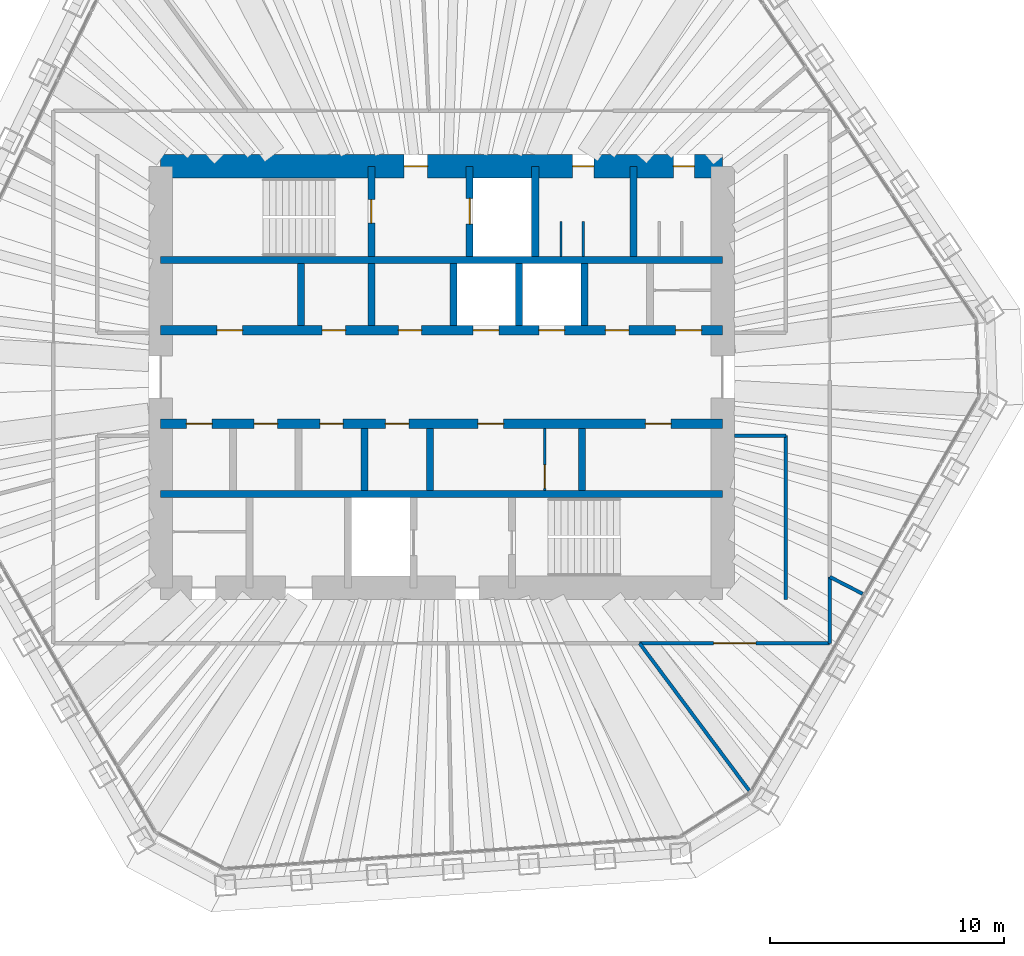
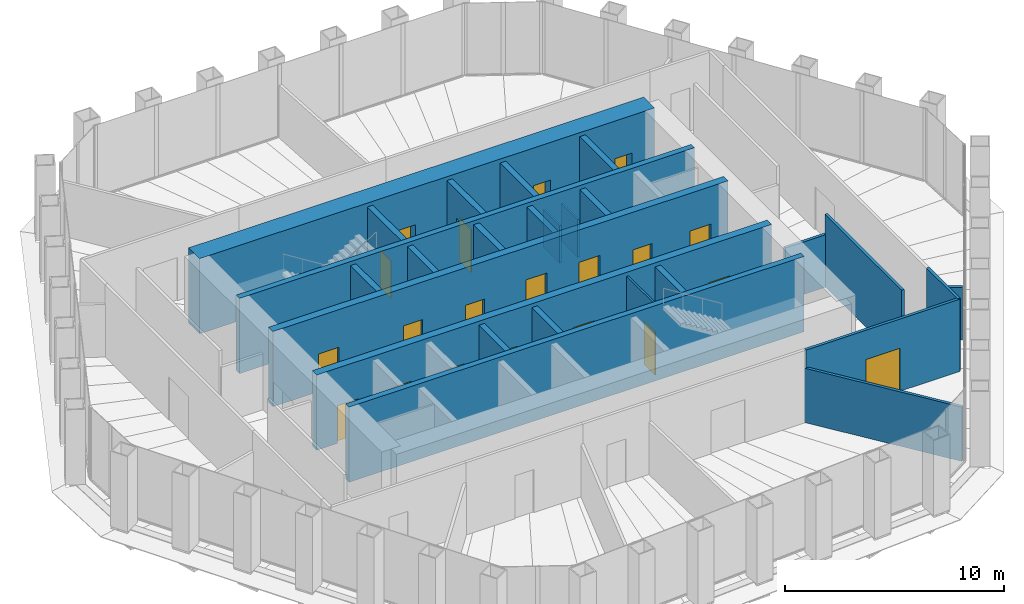
# One storey, part 12 of 14: 26 walls, 20 doors, 20 openings.
"""IFC4 building model written with IfcOpenShell, lengths in metres."""

import ifcopenshell
import ifcopenshell.guid

model = None  # the IFC model being written
_history = None  # IfcOwnerHistory: only IFC2X3 demands one
_inside = {}  # id of a spatial element -> (the spatial element, [elements in it])
_under = {}  # id of a project, library or spatial element -> (it, [spatial elements below it])
_declared = {}  # id of a project -> (the project, [libraries it declares])
_typed = {}  # id of a type object -> (the type object, [elements of that type])
_made_of = {}  # id of a material, layer set ... -> (it, [elements and type objects made of it])


def new_model(schema):
    """Start an empty IFC model of exactly this schema.

    Asked for "IFC4X3", IfcOpenShell would pick the latest addendum, in which some entities
    have other attributes; the version numbers below select the first issue.
    IFC2X3 requires an IfcOwnerHistory on every rooted entity: one is made here for all.
    """
    global model, _history
    if schema == "IFC4X3":
        model = ifcopenshell.file(schema_version=(4, 3, 0, 0))
    else:
        model = ifcopenshell.file(schema=schema)
    _inside.clear()
    _under.clear()
    _declared.clear()
    _typed.clear()
    _made_of.clear()
    _history = None
    if model.schema == "IFC2X3":
        org = make("IfcOrganization", Name="unknown")
        user = make(
            "IfcPersonAndOrganization",
            ThePerson=make("IfcPerson", FamilyName="unknown"),
            TheOrganization=org,
        )
        app = make(
            "IfcApplication",
            ApplicationDeveloper=org,
            Version="unknown",
            ApplicationFullName="unknown",
            ApplicationIdentifier="unknown",
        )
        _history = make(
            "IfcOwnerHistory",
            OwningUser=user,
            OwningApplication=app,
            ChangeAction="ADDED",
            CreationDate=0,
        )
    return model


def make(cls, **values):
    """One entity of the class cls with the attributes given. An attribute that is None is left unset."""
    return model.create_entity(
        cls, **{name: value for name, value in values.items() if value is not None}
    )


def rooted(cls, **values):
    """An entity with a GlobalId (a new one), such as an element, a storey or a relation."""
    return make(cls, GlobalId=ifcopenshell.guid.new(), OwnerHistory=_history, **values)


def si_unit(unit_type, name, prefix=None):
    """IfcSIUnit, for example si_unit("LENGTHUNIT", "METRE", prefix="MILLI")."""
    return make("IfcSIUnit", UnitType=unit_type, Prefix=prefix, Name=name)


def assignment(units):
    """IfcUnitAssignment: the units of a project."""
    return None if units is None else make("IfcUnitAssignment", Units=units)


def point(xyz):
    """IfcCartesianPoint."""
    return None if xyz is None else make("IfcCartesianPoint", Coordinates=xyz)


def direction(xyz):
    """IfcDirection."""
    return None if xyz is None else make("IfcDirection", DirectionRatios=xyz)


def frame(location, z_axis=None, x_axis=None):
    """IfcAxis2Placement3D, a coordinate frame: its origin and axes. An axis left out is left unset."""
    return make(
        "IfcAxis2Placement3D",
        Location=point(location),
        Axis=direction(z_axis),
        RefDirection=direction(x_axis),
    )


def frame_2d(location, x_axis=None):
    """IfcAxis2Placement2D, a coordinate frame in the plane: its origin and x axis."""
    return make(
        "IfcAxis2Placement2D", Location=point(location), RefDirection=direction(x_axis)
    )


def origin():
    """The frame at (0, 0, 0) with its axes left unset."""
    return frame((0.0, 0.0, 0.0))


def place(relative_to, where):
    """IfcLocalPlacement: puts the frame where relative to a parent placement (None: the world)."""
    return make(
        "IfcLocalPlacement", PlacementRelTo=relative_to, RelativePlacement=where
    )


def context(
    kind, dimensions, precision=None, world=None, true_north=None, identifier=None
):
    """IfcGeometricRepresentationContext, for example the 3D "Model" context."""
    return make(
        "IfcGeometricRepresentationContext",
        ContextIdentifier=identifier,
        ContextType=kind,
        CoordinateSpaceDimension=dimensions,
        Precision=precision,
        WorldCoordinateSystem=world,
        TrueNorth=true_north,
    )


def subcontext(parent, identifier, kind, view, scale=None):
    """IfcGeometricRepresentationSubContext, for example "Body" below "Model"."""
    return make(
        "IfcGeometricRepresentationSubContext",
        ContextIdentifier=identifier,
        ContextType=kind,
        ParentContext=parent,
        TargetScale=scale,
        TargetView=view,
    )


def project(units=None, contexts=None):
    """IfcProject with its units and contexts."""
    return rooted(
        "IfcProject",
        Name="project",
        RepresentationContexts=contexts,
        UnitsInContext=assignment(units),
    )


def spatial(cls, under=None, at=None, **own):
    """A site, building, storey or space (cls), placed at a placement, below another one or the project."""
    s = rooted(cls, ObjectPlacement=at, **own)
    if under is not None:
        _under.setdefault(under.id(), (under, []))[1].append(s)
    return s


def profile(cls, at=None, kind="AREA", **sizes):
    """A parametric profile (cls). Its sizes go by their IFC names, for example OverallWidth=200.0."""
    return make(cls, ProfileType=kind, Position=at, **sizes)


def rectangle(**sizes):
    """IfcRectangleProfileDef."""
    return profile("IfcRectangleProfileDef", **sizes)


def extrude(swept, where, along, depth):
    """IfcExtrudedAreaSolid: the profile swept, set in the frame where, extruded along a direction by depth."""
    return make(
        "IfcExtrudedAreaSolid",
        SweptArea=swept,
        Position=where,
        ExtrudedDirection=direction(along),
        Depth=depth,
    )


def shape(context_of_items, identifier, shape_type, items):
    """IfcShapeRepresentation: the items that make up one representation, for example the "Body"."""
    return make(
        "IfcShapeRepresentation",
        ContextOfItems=context_of_items,
        RepresentationIdentifier=identifier,
        RepresentationType=shape_type,
        Items=items,
    )


def material(Name=None, Category=None):
    """IfcMaterial."""
    return make("IfcMaterial", Name=Name, Category=Category)


def layer(
    of_material, thickness, ventilated=None, Name=None, Category=None, Priority=None
):
    """IfcMaterialLayer: one layer of a wall or slab, of a material (None: an air gap)."""
    return make(
        "IfcMaterialLayer",
        Material=of_material,
        LayerThickness=thickness,
        IsVentilated=ventilated,
        Name=Name,
        Category=Category,
        Priority=Priority,
    )


def layer_set(layers, Name=None):
    """IfcMaterialLayerSet."""
    return make("IfcMaterialLayerSet", MaterialLayers=layers, LayerSetName=Name)


def made_of(thing, what):
    """Note that an element or type object is made of a material, layer set ...; save() writes the relation."""
    if what is not None:
        _made_of.setdefault(what.id(), (what, []))[1].append(thing)
    return thing


def type_object(cls, material=None, **own):
    """A type object (cls), such as IfcWallType, which elements share."""
    return made_of(rooted(cls, **own), material)


def element(
    cls,
    number,
    at=None,
    inside=None,
    cuts=None,
    type_object=None,
    material=None,
    context=None,
    identifier="Body",
    shape_type=None,
    held_by="IfcProductDefinitionShape",
    body=None,
    shapes=None,
    **own,
):
    """One element of the class cls, such as IfcWall. Its Tag is "e" and its number.

    at: its placement. inside: the storey or other place that contains it. cuts: it is an
    opening in that element (IfcRelVoidsElement). A single representation is given by context,
    identifier, shape_type and body (its items); several are given by shapes. held_by: the class
    of the entity that holds the representations. save() writes the other relations.
    """
    e = rooted(cls, Tag="e%d" % number, ObjectPlacement=at, **own)
    if body is not None:
        shapes = [shape(context, identifier, shape_type, body)]
    if shapes is not None:
        e.Representation = make(held_by, Representations=shapes)
    if inside is not None:
        _inside.setdefault(inside.id(), (inside, []))[1].append(e)
    if cuts is not None:
        rooted(
            "IfcRelVoidsElement", RelatingBuildingElement=cuts, RelatedOpeningElement=e
        )
    if type_object is not None:
        _typed.setdefault(type_object.id(), (type_object, []))[1].append(e)
    return made_of(e, material)


def fill(opening, filler):
    """IfcRelFillsElement: the door or window that sits in an opening."""
    return rooted(
        "IfcRelFillsElement",
        RelatingOpeningElement=opening,
        RelatedBuildingElement=filler,
    )


def aggregate(whole, parts):
    """IfcRelAggregates: a whole, such as a stair, and the parts it consists of."""
    return rooted("IfcRelAggregates", RelatingObject=whole, RelatedObjects=parts)


def save(model, path):
    """Write the relations noted so far, then the file.

    IfcRelAggregates (storeys below a building ...), IfcRelContainedInSpatialStructure (elements
    in a storey), IfcRelDefinesByType, IfcRelAssociatesMaterial and IfcRelDeclares: one each for
    every whole, place, type object, material and project.
    """
    for whole, parts in _under.values():
        aggregate(whole, parts)
    for where, things in _inside.values():
        rooted(
            "IfcRelContainedInSpatialStructure",
            RelatedElements=things,
            RelatingStructure=where,
        )
    for kind, things in _typed.values():
        rooted("IfcRelDefinesByType", RelatedObjects=things, RelatingType=kind)
    for what, things in _made_of.values():
        rooted("IfcRelAssociatesMaterial", RelatedObjects=things, RelatingMaterial=what)
    for by, libraries in _declared.values():
        rooted("IfcRelDeclares", RelatingContext=by, RelatedDefinitions=libraries)
    model.write(path)


model = new_model("IFC4")

# Units and contexts
model_context = context("Model", 3, precision=1e-05, world=origin(), true_north=direction((0.0, 1.0)))
body_context = subcontext(model_context, "Body", "Model", "MODEL_VIEW")
ifc_project = project(units=[si_unit("LENGTHUNIT", "METRE"), si_unit("AREAUNIT", "SQUARE_METRE"), si_unit("VOLUMEUNIT", "CUBIC_METRE"), si_unit("PLANEANGLEUNIT", "RADIAN"), si_unit("MASSUNIT", "GRAM", prefix="KILO")], contexts=[model_context])

# Site, building, storey
site_placement = place(None, origin())
site = spatial("IfcSite", under=ifc_project, at=site_placement, CompositionType="ELEMENT")
building_placement = place(site_placement, origin())
building = spatial("IfcBuilding", under=site, at=building_placement, Name="Qingtian Harvest Tower", CompositionType="ELEMENT")
storey_placement = place(building_placement, frame((0.0, 0.0, 299.800048828125)))
storey = spatial("IfcBuildingStorey", under=building, at=storey_placement, Name="L66", CompositionType="ELEMENT", Elevation=299.800048828125)

# Walls
ifc_material_1 = material(Name="Concrete fc' 70 MPa", Category="concrete")
ifc_layer_1 = layer(ifc_material_1, 0.300048828125)
ifc_layer_set_1 = layer_set([ifc_layer_1], Name="Core inner wall RC5 300")
wall_type_1 = type_object("IfcWallType", Name="Core inner wall RC5 300", PredefinedType="SHEAR", material=ifc_layer_set_1)
for number, where, z_axis, x_axis, name in (
    (1, (-12.0, 5.0, 0.0), (0.0, 0.0, 1.0), (1.0, 0.0, 0.0), "Core wall IN5 L66"),
    (2, (-12.0, -5.0, 0.0), (0.0, 0.0, 1.0), (1.0, 0.0, 0.0), "Core wall IS5 L66"),
):
    element("IfcWall", number, at=place(storey_placement, frame(where, z_axis=z_axis, x_axis=x_axis)), inside=storey, type_object=wall_type_1, Name=name, PredefinedType="SHEAR", context=body_context, shape_type="SweptSolid", body=[
        extrude(rectangle(XDim=24.0, YDim=0.300048828125, at=frame_2d((12.0, 0.0))), origin(), (0.0, 0.0, 1.0), 4.199951171875),
    ])

# Wall, openings, doors
ifc_material_2 = material(Name="Concrete fc' 70 MPa", Category="concrete")
ifc_layer_2 = layer(ifc_material_2, 0.39990234375)
ifc_layer_set_2 = layer_set([ifc_layer_2], Name="Core inner web RC6 400")
wall_type_2 = type_object("IfcWallType", Name="Core inner web RC6 400", PredefinedType="SHEAR", material=ifc_layer_set_2)
wall_1_placement = place(storey_placement, frame((-12.0, 2.0, 0.0), z_axis=(0.0, 0.0, 1.0), x_axis=(1.0, 0.0, 0.0)))
wall_1 = element("IfcWall", 3, at=wall_1_placement, inside=storey, type_object=wall_type_2, Name="Core wall IN2 L66", PredefinedType="SHEAR", context=body_context, shape_type="SweptSolid", body=[
    extrude(rectangle(XDim=24.0, YDim=0.39990234375, at=frame_2d((12.0, 0.0))), origin(), (0.0, 0.0, 1.0), 4.199951171875),
])
opening_1_placement = place(wall_1_placement, frame((2.39990234375, 0.0, 0.0)))
opening_1 = element("IfcOpeningElement", 4, at=opening_1_placement, cuts=wall_1, Name="Opening FD4", PredefinedType="OPENING", context=body_context, shape_type="SweptSolid", body=[
    extrude(rectangle(XDim=1.10009765625, YDim=2.10009765625, at=frame_2d((0.550048828125, 1.050048828125))), frame((0.0, 0.2099609375, 0.0), z_axis=(0.0, -1.0, 0.0), x_axis=(1.0, 0.0, 0.0)), (0.0, 0.0, 1.0), 0.419921875),
])
opening_2_placement = place(wall_1_placement, frame((22.0, 0.0, 0.0)))
opening_2 = element("IfcOpeningElement", 5, at=opening_2_placement, cuts=wall_1, Name="Opening FD4", PredefinedType="OPENING", context=body_context, shape_type="SweptSolid", body=[
    extrude(rectangle(XDim=1.10009765625, YDim=2.10009765625, at=frame_2d((0.550048828125, 1.050048828125))), frame((0.0, 0.2099609375, 0.0), z_axis=(0.0, -1.0, 0.0), x_axis=(1.0, 0.0, 0.0)), (0.0, 0.0, 1.0), 0.419921875),
])
opening_3_placement = place(wall_1_placement, frame((10.14990234375, 0.0, 0.0)))
opening_3 = element("IfcOpeningElement", 6, at=opening_3_placement, cuts=wall_1, Name="Opening FD1", PredefinedType="OPENING", context=body_context, shape_type="SweptSolid", body=[
    extrude(rectangle(XDim=1.0, YDim=2.10009765625, at=frame_2d((0.5, 1.050048828125))), frame((0.0, 0.2099609375, 0.0), z_axis=(0.0, -1.0, 0.0), x_axis=(1.0, 0.0, 0.0)), (0.0, 0.0, 1.0), 0.419921875),
])
opening_4_placement = place(wall_1_placement, frame((6.89990234375, 0.0, 0.0)))
opening_4 = element("IfcOpeningElement", 7, at=opening_4_placement, cuts=wall_1, Name="Opening FD1", PredefinedType="OPENING", context=body_context, shape_type="SweptSolid", body=[
    extrude(rectangle(XDim=1.0, YDim=2.10009765625, at=frame_2d((0.5, 1.050048828125))), frame((0.0, 0.2099609375, 0.0), z_axis=(0.0, -1.0, 0.0), x_axis=(1.0, 0.0, 0.0)), (0.0, 0.0, 1.0), 0.419921875),
])
opening_5_placement = place(wall_1_placement, frame((13.35009765625, 0.0, 0.0)))
opening_5 = element("IfcOpeningElement", 8, at=opening_5_placement, cuts=wall_1, Name="Opening LD1", PredefinedType="OPENING", context=body_context, shape_type="SweptSolid", body=[
    extrude(rectangle(XDim=1.10009765625, YDim=2.39990234375, at=frame_2d((0.550048828125, 1.199951171875))), frame((0.0, 0.2099609375, 0.0), z_axis=(0.0, -1.0, 0.0), x_axis=(1.0, 0.0, 0.0)), (0.0, 0.0, 1.0), 0.419921875),
])
opening_6_placement = place(wall_1_placement, frame((16.14990234375, 0.0, 0.0)))
opening_6 = element("IfcOpeningElement", 9, at=opening_6_placement, cuts=wall_1, Name="Opening LD1", PredefinedType="OPENING", context=body_context, shape_type="SweptSolid", body=[
    extrude(rectangle(XDim=1.10009765625, YDim=2.39990234375, at=frame_2d((0.550048828125, 1.199951171875))), frame((0.0, 0.2099609375, 0.0), z_axis=(0.0, -1.0, 0.0), x_axis=(1.0, 0.0, 0.0)), (0.0, 0.0, 1.0), 0.419921875),
])
opening_7_placement = place(wall_1_placement, frame((19.0, 0.0, 0.0)))
opening_7 = element("IfcOpeningElement", 10, at=opening_7_placement, cuts=wall_1, Name="Opening FD1", PredefinedType="OPENING", context=body_context, shape_type="SweptSolid", body=[
    extrude(rectangle(XDim=1.0, YDim=2.10009765625, at=frame_2d((0.5, 1.050048828125))), frame((0.0, 0.2099609375, 0.0), z_axis=(0.0, -1.0, 0.0), x_axis=(1.0, 0.0, 0.0)), (0.0, 0.0, 1.0), 0.419921875),
])
ifc_material_3 = material(Name="Steel-faced door leaf", Category="steel")
door_type_1 = type_object("IfcDoorType", Name="Fire door FD1 single 1 HR", OperationType="SINGLE_SWING_LEFT", PredefinedType="DOOR", material=ifc_material_3)
door_1_placement = place(opening_3_placement, origin())
door_1 = element("IfcDoor", 11, at=door_1_placement, inside=storey, type_object=door_type_1, Name="STA door L66", OperationType="SINGLE_SWING_LEFT", OverallHeight=2.10009765625, OverallWidth=1.0, PredefinedType="DOOR", context=body_context, shape_type="SweptSolid", body=[
    extrude(rectangle(XDim=1.0, YDim=2.10009765625, at=frame_2d((0.5, 1.050048828125))), frame((0.0, 0.02490234375, 0.0), z_axis=(0.0, -1.0, 0.0), x_axis=(1.0, 0.0, 0.0)), (0.0, 0.0, 1.0), 0.050048828125),
])
fill(opening_3, door_1)
door_2_placement = place(opening_4_placement, origin())
door_2 = element("IfcDoor", 12, at=door_2_placement, inside=storey, type_object=door_type_1, Name="Pantry door L66", OperationType="SINGLE_SWING_RIGHT", OverallHeight=2.10009765625, OverallWidth=1.0, PredefinedType="DOOR", context=body_context, shape_type="SweptSolid", body=[
    extrude(rectangle(XDim=1.0, YDim=2.10009765625, at=frame_2d((0.5, 1.050048828125))), frame((0.0, 0.02490234375, 0.0), z_axis=(0.0, -1.0, 0.0), x_axis=(1.0, 0.0, 0.0)), (0.0, 0.0, 1.0), 0.050048828125),
])
fill(opening_4, door_2)
door_3_placement = place(opening_7_placement, origin())
door_3 = element("IfcDoor", 13, at=door_3_placement, inside=storey, type_object=door_type_1, Name="Tool store door L66", OperationType="SINGLE_SWING_RIGHT", OverallHeight=2.10009765625, OverallWidth=1.0, PredefinedType="DOOR", context=body_context, shape_type="SweptSolid", body=[
    extrude(rectangle(XDim=1.0, YDim=2.10009765625, at=frame_2d((0.5, 1.050048828125))), frame((0.0, 0.02490234375, 0.0), z_axis=(0.0, -1.0, 0.0), x_axis=(1.0, 0.0, 0.0)), (0.0, 0.0, 1.0), 0.050048828125),
])
fill(opening_7, door_3)
ifc_material_4 = material(Name="Steel-faced door leaf", Category="steel")
door_type_2 = type_object("IfcDoorType", Name="Fire door FD4 single 2 HR", OperationType="SINGLE_SWING_LEFT", PredefinedType="DOOR", material=ifc_material_4)
door_4_placement = place(opening_1_placement, origin())
door_4 = element("IfcDoor", 14, at=door_4_placement, inside=storey, type_object=door_type_2, Name="RA door L66", OperationType="SINGLE_SWING_LEFT", OverallHeight=2.10009765625, OverallWidth=1.10009765625, PredefinedType="DOOR", context=body_context, shape_type="SweptSolid", body=[
    extrude(rectangle(XDim=1.10009765625, YDim=2.10009765625, at=frame_2d((0.550048828125, 1.050048828125))), frame((0.0, 0.02490234375, 0.0), z_axis=(0.0, -1.0, 0.0), x_axis=(1.0, 0.0, 0.0)), (0.0, 0.0, 1.0), 0.050048828125),
])
fill(opening_1, door_4)
door_5_placement = place(opening_2_placement, origin())
door_5 = element("IfcDoor", 15, at=door_5_placement, inside=storey, type_object=door_type_2, Name="AHU door L66", OperationType="SINGLE_SWING_RIGHT", OverallHeight=2.10009765625, OverallWidth=1.10009765625, PredefinedType="DOOR", context=body_context, shape_type="SweptSolid", body=[
    extrude(rectangle(XDim=1.10009765625, YDim=2.10009765625, at=frame_2d((0.550048828125, 1.050048828125))), frame((0.0, 0.02490234375, 0.0), z_axis=(0.0, -1.0, 0.0), x_axis=(1.0, 0.0, 0.0)), (0.0, 0.0, 1.0), 0.050048828125),
])
fill(opening_2, door_5)
ifc_material_5 = material(Name="Stainless steel lift landing door", Category="steel")
door_type_3 = type_object("IfcDoorType", Name="Lift landing door LD1 1 HR", OperationType="DOUBLE_DOOR_SLIDING", PredefinedType="DOOR", material=ifc_material_5)
door_6_placement = place(opening_5_placement, origin())
door_6 = element("IfcDoor", 16, at=door_6_placement, inside=storey, type_object=door_type_3, Name="PLD1 landing door L66", OperationType="DOUBLE_DOOR_SLIDING", OverallHeight=2.39990234375, OverallWidth=1.10009765625, PredefinedType="DOOR", context=body_context, shape_type="SweptSolid", body=[
    extrude(rectangle(XDim=1.10009765625, YDim=2.39990234375, at=frame_2d((0.550048828125, 1.199951171875))), frame((0.0, 0.02490234375, 0.0), z_axis=(0.0, -1.0, 0.0), x_axis=(1.0, 0.0, 0.0)), (0.0, 0.0, 1.0), 0.050048828125),
])
fill(opening_5, door_6)
door_7_placement = place(opening_6_placement, origin())
door_7 = element("IfcDoor", 17, at=door_7_placement, inside=storey, type_object=door_type_3, Name="PLD2 landing door L66", OperationType="DOUBLE_DOOR_SLIDING", OverallHeight=2.39990234375, OverallWidth=1.10009765625, PredefinedType="DOOR", context=body_context, shape_type="SweptSolid", body=[
    extrude(rectangle(XDim=1.10009765625, YDim=2.39990234375, at=frame_2d((0.550048828125, 1.199951171875))), frame((0.0, 0.02490234375, 0.0), z_axis=(0.0, -1.0, 0.0), x_axis=(1.0, 0.0, 0.0)), (0.0, 0.0, 1.0), 0.050048828125),
])
fill(opening_6, door_7)

wall_2_placement = place(storey_placement, frame((-12.0, -2.0, 0.0), z_axis=(0.0, 0.0, 1.0), x_axis=(1.0, 0.0, 0.0)))
wall_2 = element("IfcWall", 18, at=wall_2_placement, inside=storey, type_object=wall_type_2, Name="Core wall IS2 L66", PredefinedType="SHEAR", context=body_context, shape_type="SweptSolid", body=[
    extrude(rectangle(XDim=24.0, YDim=0.39990234375, at=frame_2d((12.0, 0.0))), origin(), (0.0, 0.0, 1.0), 4.199951171875),
])
opening_8_placement = place(wall_2_placement, frame((1.10009765625, 0.0, 0.0)))
opening_8 = element("IfcOpeningElement", 19, at=opening_8_placement, cuts=wall_2, Name="Opening FD4", PredefinedType="OPENING", context=body_context, shape_type="SweptSolid", body=[
    extrude(rectangle(XDim=1.10009765625, YDim=2.10009765625, at=frame_2d((0.550048828125, 1.050048828125))), frame((0.0, 0.2099609375, 0.0), z_axis=(0.0, -1.0, 0.0), x_axis=(1.0, 0.0, 0.0)), (0.0, 0.0, 1.0), 0.419921875),
])
opening_9_placement = place(wall_2_placement, frame((13.550048828125, 0.0, 0.0)))
opening_9 = element("IfcOpeningElement", 20, at=opening_9_placement, cuts=wall_2, Name="Opening FD4", PredefinedType="OPENING", context=body_context, shape_type="SweptSolid", body=[
    extrude(rectangle(XDim=1.10009765625, YDim=2.10009765625, at=frame_2d((0.550048828125, 1.050048828125))), frame((0.0, 0.2099609375, 0.0), z_axis=(0.0, -1.0, 0.0), x_axis=(1.0, 0.0, 0.0)), (0.0, 0.0, 1.0), 0.419921875),
])
opening_10_placement = place(wall_2_placement, frame((20.699951171875, 0.0, 0.0)))
opening_10 = element("IfcOpeningElement", 21, at=opening_10_placement, cuts=wall_2, Name="Opening FD4", PredefinedType="OPENING", context=body_context, shape_type="SweptSolid", body=[
    extrude(rectangle(XDim=1.10009765625, YDim=2.10009765625, at=frame_2d((0.550048828125, 1.050048828125))), frame((0.0, 0.2099609375, 0.0), z_axis=(0.0, -1.0, 0.0), x_axis=(1.0, 0.0, 0.0)), (0.0, 0.0, 1.0), 0.419921875),
])
opening_11_placement = place(wall_2_placement, frame((4.0, 0.0, 0.0)))
opening_11 = element("IfcOpeningElement", 22, at=opening_11_placement, cuts=wall_2, Name="Opening FD1", PredefinedType="OPENING", context=body_context, shape_type="SweptSolid", body=[
    extrude(rectangle(XDim=1.0, YDim=2.10009765625, at=frame_2d((0.5, 1.050048828125))), frame((0.0, 0.2099609375, 0.0), z_axis=(0.0, -1.0, 0.0), x_axis=(1.0, 0.0, 0.0)), (0.0, 0.0, 1.0), 0.419921875),
])
opening_12_placement = place(wall_2_placement, frame((6.800048828125, 0.0, 0.0)))
opening_12 = element("IfcOpeningElement", 23, at=opening_12_placement, cuts=wall_2, Name="Opening FD1", PredefinedType="OPENING", context=body_context, shape_type="SweptSolid", body=[
    extrude(rectangle(XDim=1.0, YDim=2.10009765625, at=frame_2d((0.5, 1.050048828125))), frame((0.0, 0.2099609375, 0.0), z_axis=(0.0, -1.0, 0.0), x_axis=(1.0, 0.0, 0.0)), (0.0, 0.0, 1.0), 0.419921875),
])
opening_13_placement = place(wall_2_placement, frame((9.60009765625, 0.0, 0.0)))
opening_13 = element("IfcOpeningElement", 24, at=opening_13_placement, cuts=wall_2, Name="Opening FD1", PredefinedType="OPENING", context=body_context, shape_type="SweptSolid", body=[
    extrude(rectangle(XDim=1.0, YDim=2.10009765625, at=frame_2d((0.5, 1.050048828125))), frame((0.0, 0.2099609375, 0.0), z_axis=(0.0, -1.0, 0.0), x_axis=(1.0, 0.0, 0.0)), (0.0, 0.0, 1.0), 0.419921875),
])
door_8_placement = place(opening_11_placement, origin())
door_8 = element("IfcDoor", 25, at=door_8_placement, inside=storey, type_object=door_type_1, Name="Archive store door L66", OperationType="SINGLE_SWING_RIGHT", OverallHeight=2.10009765625, OverallWidth=1.0, PredefinedType="DOOR", context=body_context, shape_type="SweptSolid", body=[
    extrude(rectangle(XDim=1.0, YDim=2.10009765625, at=frame_2d((0.5, 1.050048828125))), frame((0.0, 0.02490234375, 0.0), z_axis=(0.0, -1.0, 0.0), x_axis=(1.0, 0.0, 0.0)), (0.0, 0.0, 1.0), 0.050048828125),
])
fill(opening_11, door_8)
door_9_placement = place(opening_12_placement, origin())
door_9 = element("IfcDoor", 26, at=door_9_placement, inside=storey, type_object=door_type_1, Name="Staff WC door L66", OperationType="SINGLE_SWING_RIGHT", OverallHeight=2.10009765625, OverallWidth=1.0, PredefinedType="DOOR", context=body_context, shape_type="SweptSolid", body=[
    extrude(rectangle(XDim=1.0, YDim=2.10009765625, at=frame_2d((0.5, 1.050048828125))), frame((0.0, 0.02490234375, 0.0), z_axis=(0.0, -1.0, 0.0), x_axis=(1.0, 0.0, 0.0)), (0.0, 0.0, 1.0), 0.050048828125),
])
fill(opening_12, door_9)
door_10_placement = place(opening_13_placement, origin())
door_10 = element("IfcDoor", 27, at=door_10_placement, inside=storey, type_object=door_type_1, Name="Staff WC door L66", OperationType="SINGLE_SWING_RIGHT", OverallHeight=2.10009765625, OverallWidth=1.0, PredefinedType="DOOR", context=body_context, shape_type="SweptSolid", body=[
    extrude(rectangle(XDim=1.0, YDim=2.10009765625, at=frame_2d((0.5, 1.050048828125))), frame((0.0, 0.02490234375, 0.0), z_axis=(0.0, -1.0, 0.0), x_axis=(1.0, 0.0, 0.0)), (0.0, 0.0, 1.0), 0.050048828125),
])
fill(opening_13, door_10)
door_11_placement = place(opening_8_placement, origin())
door_11 = element("IfcDoor", 28, at=door_11_placement, inside=storey, type_object=door_type_2, Name="RB door L66", OperationType="SINGLE_SWING_LEFT", OverallHeight=2.10009765625, OverallWidth=1.10009765625, PredefinedType="DOOR", context=body_context, shape_type="SweptSolid", body=[
    extrude(rectangle(XDim=1.10009765625, YDim=2.10009765625, at=frame_2d((0.550048828125, 1.050048828125))), frame((0.0, 0.02490234375, 0.0), z_axis=(0.0, -1.0, 0.0), x_axis=(1.0, 0.0, 0.0)), (0.0, 0.0, 1.0), 0.050048828125),
])
fill(opening_8, door_11)
door_12_placement = place(opening_9_placement, origin())
door_12 = element("IfcDoor", 29, at=door_12_placement, inside=storey, type_object=door_type_2, Name="ELEC door L66", OperationType="SINGLE_SWING_RIGHT", OverallHeight=2.10009765625, OverallWidth=1.10009765625, PredefinedType="DOOR", context=body_context, shape_type="SweptSolid", body=[
    extrude(rectangle(XDim=1.10009765625, YDim=2.10009765625, at=frame_2d((0.550048828125, 1.050048828125))), frame((0.0, 0.02490234375, 0.0), z_axis=(0.0, -1.0, 0.0), x_axis=(1.0, 0.0, 0.0)), (0.0, 0.0, 1.0), 0.050048828125),
])
fill(opening_9, door_12)
door_13_placement = place(opening_10_placement, origin())
door_13 = element("IfcDoor", 30, at=door_13_placement, inside=storey, type_object=door_type_2, Name="DUCT door L66", OperationType="SINGLE_SWING_LEFT", OverallHeight=2.10009765625, OverallWidth=1.10009765625, PredefinedType="DOOR", context=body_context, shape_type="SweptSolid", body=[
    extrude(rectangle(XDim=1.10009765625, YDim=2.10009765625, at=frame_2d((0.550048828125, 1.050048828125))), frame((0.0, 0.02490234375, 0.0), z_axis=(0.0, -1.0, 0.0), x_axis=(1.0, 0.0, 0.0)), (0.0, 0.0, 1.0), 0.050048828125),
])
fill(opening_10, door_13)

# Wall, opening, door
ifc_material_6 = material(Name="Precast concrete shaft panel", Category="concrete")
ifc_layer_3 = layer(ifc_material_6, 0.300048828125)
ifc_layer_set_3 = layer_set([ifc_layer_3], Name="Core shaft partition SW1 300")
wall_type_3 = type_object("IfcWallType", Name="Core shaft partition SW1 300", PredefinedType="PARTITIONING", material=ifc_layer_set_3)
wall_3_placement = place(storey_placement, frame((-3.0, 5.14990234375, 0.0), z_axis=(0.0, 0.0, 1.0), x_axis=(0.0, 1.0, 0.0)))
wall_3 = element("IfcWall", 31, at=wall_3_placement, inside=storey, type_object=wall_type_3, Name="Core shaft partition XN1 L66", PredefinedType="PARTITIONING", context=body_context, shape_type="SweptSolid", body=[
    extrude(rectangle(XDim=3.85009765625, YDim=0.300048828125, at=frame_2d((1.925048828125, 0.0))), origin(), (0.0, 0.0, 1.0), 3.97998046875),
])
opening_14_placement = place(wall_3_placement, frame((1.425048828125, 0.0, 0.0)))
opening_14 = element("IfcOpeningElement", 32, at=opening_14_placement, cuts=wall_3, Name="Opening FD1", PredefinedType="OPENING", context=body_context, shape_type="SweptSolid", body=[
    extrude(rectangle(XDim=1.0, YDim=2.10009765625, at=frame_2d((0.5, 1.050048828125))), frame((0.0, 0.159912109375, 0.0), z_axis=(0.0, -1.0, 0.0), x_axis=(1.0, 0.0, 0.0)), (0.0, 0.0, 1.0), 0.320068359375),
])
door_14_placement = place(opening_14_placement, origin())
door_14 = element("IfcDoor", 33, at=door_14_placement, inside=storey, type_object=door_type_1, Name="S1 door L66", OperationType="SINGLE_SWING_RIGHT", OverallHeight=2.10009765625, OverallWidth=1.0, PredefinedType="DOOR", context=body_context, shape_type="SweptSolid", body=[
    extrude(rectangle(XDim=1.0, YDim=2.10009765625, at=frame_2d((0.5, 1.050048828125))), frame((0.0, 0.02490234375, 0.0), z_axis=(0.0, -1.0, 0.0), x_axis=(1.0, 0.0, 0.0)), (0.0, 0.0, 1.0), 0.050048828125),
])
fill(opening_14, door_14)

wall_4_placement = place(storey_placement, frame((1.199951171875, 5.14990234375, 0.0), z_axis=(0.0, 0.0, 1.0), x_axis=(0.0, 1.0, 0.0)))
wall_4 = element("IfcWall", 34, at=wall_4_placement, inside=storey, type_object=wall_type_3, Name="Core shaft partition XN2 L66", PredefinedType="PARTITIONING", context=body_context, shape_type="SweptSolid", body=[
    extrude(rectangle(XDim=3.85009765625, YDim=0.300048828125, at=frame_2d((1.925048828125, 0.0))), origin(), (0.0, 0.0, 1.0), 3.97998046875),
])
opening_15_placement = place(wall_4_placement, frame((1.375, 0.0, 0.0)))
opening_15 = element("IfcOpeningElement", 35, at=opening_15_placement, cuts=wall_4, Name="Opening LD1", PredefinedType="OPENING", context=body_context, shape_type="SweptSolid", body=[
    extrude(rectangle(XDim=1.10009765625, YDim=2.39990234375, at=frame_2d((0.550048828125, 1.199951171875))), frame((0.0, 0.159912109375, 0.0), z_axis=(0.0, -1.0, 0.0), x_axis=(1.0, 0.0, 0.0)), (0.0, 0.0, 1.0), 0.320068359375),
])
door_15_placement = place(opening_15_placement, origin())
door_15 = element("IfcDoor", 36, at=door_15_placement, inside=storey, type_object=door_type_3, Name="FL1 landing door L66", OperationType="DOUBLE_DOOR_SLIDING", OverallHeight=2.39990234375, OverallWidth=1.10009765625, PredefinedType="DOOR", context=body_context, shape_type="SweptSolid", body=[
    extrude(rectangle(XDim=1.10009765625, YDim=2.39990234375, at=frame_2d((0.550048828125, 1.199951171875))), frame((0.0, 0.02490234375, 0.0), z_axis=(0.0, -1.0, 0.0), x_axis=(1.0, 0.0, 0.0)), (0.0, 0.0, 1.0), 0.050048828125),
])
fill(opening_15, door_15)

# Walls
for number, where, z_axis, x_axis, name in (
    (37, (4.0, 5.14990234375, 0.0), (0.0, 0.0, 1.0), (0.0, 1.0, 0.0), "Core shaft partition XN3 L66"),
    (38, (8.199951171875, 5.14990234375, 0.0), (0.0, 0.0, 1.0), (0.0, 1.0, 0.0), "Core shaft partition XN4 L66"),
):
    element("IfcWall", number, at=place(storey_placement, frame(where, z_axis=z_axis, x_axis=x_axis)), inside=storey, type_object=wall_type_3, Name=name, PredefinedType="PARTITIONING", context=body_context, shape_type="SweptSolid", body=[
        extrude(rectangle(XDim=3.85009765625, YDim=0.300048828125, at=frame_2d((1.925048828125, 0.0))), origin(), (0.0, 0.0, 1.0), 3.97998046875),
    ])
for number, where, z_axis, x_axis, name in (
    (39, (-6.0, 2.199951171875, 0.0), (0.0, 0.0, 1.0), (0.0, 1.0, 0.0), "Core shaft partition XA1 L66"),
    (40, (-3.0, 2.199951171875, 0.0), (0.0, 0.0, 1.0), (0.0, 1.0, 0.0), "Core shaft partition XA2 L66"),
    (41, (0.5, 2.199951171875, 0.0), (0.0, 0.0, 1.0), (0.0, 1.0, 0.0), "Core shaft partition XA3 L66"),
    (42, (3.300048828125, 2.199951171875, 0.0), (0.0, 0.0, 1.0), (0.0, 1.0, 0.0), "Core shaft partition XA4 L66"),
    (43, (6.10009765625, 2.199951171875, 0.0), (0.0, 0.0, 1.0), (0.0, 1.0, 0.0), "Core shaft partition XA5 L66"),
    (44, (-3.300048828125, -4.85009765625, 0.0), (0.0, 0.0, 1.0), (0.0, 1.0, 0.0), "Core shaft partition XB3 L66"),
    (45, (-0.5, -4.85009765625, 0.0), (0.0, 0.0, 1.0), (0.0, 1.0, 0.0), "Core shaft partition XB4 L66"),
    (46, (6.0, -4.85009765625, 0.0), (0.0, 0.0, 1.0), (0.0, 1.0, 0.0), "Core shaft partition XB5 L66"),
):
    element("IfcWall", number, at=place(storey_placement, frame(where, z_axis=z_axis, x_axis=x_axis)), inside=storey, type_object=wall_type_3, Name=name, PredefinedType="PARTITIONING", context=body_context, shape_type="SweptSolid", body=[
        extrude(rectangle(XDim=2.650146484375, YDim=0.300048828125, at=frame_2d((1.3251953125, 0.0))), origin(), (0.0, 0.0, 1.0), 3.97998046875),
    ])

# Wall, openings, doors
ifc_material_7 = material(Name="Concrete fc' 70 MPa", Category="concrete")
ifc_layer_4 = layer(ifc_material_7, 1.0)
ifc_layer_set_4 = layer_set([ifc_layer_4], Name="Core wall RC3 1000")
wall_type_4 = type_object("IfcWallType", Name="Core wall RC3 1000", PredefinedType="SHEAR", material=ifc_layer_set_4)
wall_5_placement = place(storey_placement, frame((-12.0, 9.0, 0.0), z_axis=(0.0, 0.0, 1.0), x_axis=(1.0, 0.0, 0.0)))
wall_5 = element("IfcWall", 47, at=wall_5_placement, inside=storey, type_object=wall_type_4, Name="Core wall CN L66", PredefinedType="SHEAR", context=body_context, shape_type="SweptSolid", body=[
    extrude(rectangle(XDim=24.0, YDim=1.0, at=frame_2d((12.0, 0.0))), origin(), (0.0, 0.0, 1.0), 4.199951171875),
])
opening_16_placement = place(wall_5_placement, frame((10.39990234375, 0.0, 0.0)))
opening_16 = element("IfcOpeningElement", 48, at=opening_16_placement, cuts=wall_5, Name="Opening FD1", PredefinedType="OPENING", context=body_context, shape_type="SweptSolid", body=[
    extrude(rectangle(XDim=1.0, YDim=2.10009765625, at=frame_2d((0.5, 1.050048828125))), frame((0.0, 0.510009765625, 0.0), z_axis=(0.0, -1.0, 0.0), x_axis=(1.0, 0.0, 0.0)), (0.0, 0.0, 1.0), 1.02001953125),
])
opening_17_placement = place(wall_5_placement, frame((17.60009765625, 0.0, 0.0)))
opening_17 = element("IfcOpeningElement", 49, at=opening_17_placement, cuts=wall_5, Name="Opening D1", PredefinedType="OPENING", context=body_context, shape_type="SweptSolid", body=[
    extrude(rectangle(XDim=0.89990234375, YDim=2.10009765625, at=frame_2d((0.449951171875, 1.050048828125))), frame((0.0, 0.510009765625, 0.0), z_axis=(0.0, -1.0, 0.0), x_axis=(1.0, 0.0, 0.0)), (0.0, 0.0, 1.0), 1.02001953125),
])
opening_18_placement = place(wall_5_placement, frame((21.89990234375, 0.0, 0.0)))
opening_18 = element("IfcOpeningElement", 50, at=opening_18_placement, cuts=wall_5, Name="Opening D1", PredefinedType="OPENING", context=body_context, shape_type="SweptSolid", body=[
    extrude(rectangle(XDim=0.89990234375, YDim=2.10009765625, at=frame_2d((0.449951171875, 1.050048828125))), frame((0.0, 0.510009765625, 0.0), z_axis=(0.0, -1.0, 0.0), x_axis=(1.0, 0.0, 0.0)), (0.0, 0.0, 1.0), 1.02001953125),
])
door_16_placement = place(opening_16_placement, origin())
door_16 = element("IfcDoor", 51, at=door_16_placement, inside=storey, type_object=door_type_1, Name="V1 door L66", OperationType="SINGLE_SWING_LEFT", OverallHeight=2.10009765625, OverallWidth=1.0, PredefinedType="DOOR", context=body_context, shape_type="SweptSolid", body=[
    extrude(rectangle(XDim=1.0, YDim=2.10009765625, at=frame_2d((0.5, 1.050048828125))), frame((0.0, 0.02490234375, 0.0), z_axis=(0.0, -1.0, 0.0), x_axis=(1.0, 0.0, 0.0)), (0.0, 0.0, 1.0), 0.050048828125),
])
fill(opening_16, door_16)
ifc_material_8 = material(Name="Laminated timber door leaf", Category="wood")
door_type_4 = type_object("IfcDoorType", Name="Toilet door D1 single", OperationType="SINGLE_SWING_LEFT", PredefinedType="DOOR", material=ifc_material_8)
door_17_placement = place(opening_17_placement, origin())
door_17 = element("IfcDoor", 52, at=door_17_placement, inside=storey, type_object=door_type_4, Name="WCM door L66", OperationType="SINGLE_SWING_LEFT", OverallHeight=2.10009765625, OverallWidth=0.89990234375, PredefinedType="DOOR", context=body_context, shape_type="SweptSolid", body=[
    extrude(rectangle(XDim=0.89990234375, YDim=2.10009765625, at=frame_2d((0.449951171875, 1.050048828125))), frame((0.0, 0.02490234375, 0.0), z_axis=(0.0, -1.0, 0.0), x_axis=(1.0, 0.0, 0.0)), (0.0, 0.0, 1.0), 0.050048828125),
])
fill(opening_17, door_17)
door_18_placement = place(opening_18_placement, origin())
door_18 = element("IfcDoor", 53, at=door_18_placement, inside=storey, type_object=door_type_4, Name="WCF door L66", OperationType="SINGLE_SWING_LEFT", OverallHeight=2.10009765625, OverallWidth=0.89990234375, PredefinedType="DOOR", context=body_context, shape_type="SweptSolid", body=[
    extrude(rectangle(XDim=0.89990234375, YDim=2.10009765625, at=frame_2d((0.449951171875, 1.050048828125))), frame((0.0, 0.02490234375, 0.0), z_axis=(0.0, -1.0, 0.0), x_axis=(1.0, 0.0, 0.0)), (0.0, 0.0, 1.0), 0.050048828125),
])
fill(opening_18, door_18)

# Walls
ifc_material_9 = material(Name="Gypsum board on steel studs", Category="steel")
ifc_layer_5 = layer(ifc_material_9, 0.14990234375)
ifc_layer_set_5 = layer_set([ifc_layer_5], Name="Partition PT1 150")
wall_type_5 = type_object("IfcWallType", Name="Partition PT1 150", PredefinedType="PARTITIONING", material=ifc_layer_set_5)
wall_6_placement = place(storey_placement, frame((17.98046875, -9.257080078125, 0.0), z_axis=(0.0, 0.0, 1.0), x_axis=(-0.88908312915, 0.457745769463, 0.0)))
element("IfcWall", 54, at=wall_6_placement, inside=storey, type_object=wall_type_5, Name="Meeting room wall L66", PredefinedType="PARTITIONING", context=body_context, shape_type="SweptSolid", body=[
    extrude(rectangle(XDim=1.580810546875, YDim=0.14990234375, at=frame_2d((0.79052734375, 0.0))), origin(), (0.0, 0.0, 1.0), 2.929931640625),
])
wall_7_placement = place(storey_placement, frame((16.574951171875, -8.533447265625, 0.0), z_axis=(0.0, 0.0, 1.0), x_axis=(0.0, -1.0, 0.0)))
element("IfcWall", 55, at=wall_7_placement, inside=storey, type_object=wall_type_5, Name="Meeting room wall L66", PredefinedType="PARTITIONING", context=body_context, shape_type="SweptSolid", body=[
    extrude(rectangle(XDim=2.841552734375, YDim=0.14990234375, at=frame_2d((1.4208984375, 0.0))), origin(), (0.0, 0.0, 1.0), 4.030029296875),
])

# Wall, opening, door
wall_8_placement = place(storey_placement, frame((16.574951171875, -11.375, 0.0), z_axis=(0.0, 0.0, 1.0), x_axis=(-1.0, 0.0, 0.0)))
wall_8 = element("IfcWall", 56, at=wall_8_placement, inside=storey, type_object=wall_type_5, Name="Meeting room wall L66", PredefinedType="PARTITIONING", context=body_context, shape_type="SweptSolid", body=[
    extrude(rectangle(XDim=8.113525390625, YDim=0.14990234375, at=frame_2d((4.056640625, 0.0))), origin(), (0.0, 0.0, 1.0), 4.030029296875),
])
opening_19_placement = place(wall_8_placement, frame((3.15673828125, 0.0, 0.0)))
opening_19 = element("IfcOpeningElement", 57, at=opening_19_placement, cuts=wall_8, Name="Opening D3", PredefinedType="OPENING", context=body_context, shape_type="SweptSolid", body=[
    extrude(rectangle(XDim=1.800048828125, YDim=2.39990234375, at=frame_2d((0.89990234375, 1.199951171875))), frame((0.0, 0.0849609375, 0.0), z_axis=(0.0, -1.0, 0.0), x_axis=(1.0, 0.0, 0.0)), (0.0, 0.0, 1.0), 0.169921875),
])
ifc_material_10 = material(Name="Laminated timber door leaf", Category="wood")
door_type_5 = type_object("IfcDoorType", Name="Room door D3 double", OperationType="DOUBLE_DOOR_DOUBLE_SWING", PredefinedType="DOOR", material=ifc_material_10)
door_19_placement = place(opening_19_placement, origin())
door_19 = element("IfcDoor", 58, at=door_19_placement, inside=storey, type_object=door_type_5, Name="Meeting room door L66", OperationType="DOUBLE_DOOR_DOUBLE_SWING", OverallHeight=2.39990234375, OverallWidth=1.800048828125, PredefinedType="DOOR", context=body_context, shape_type="SweptSolid", body=[
    extrude(rectangle(XDim=1.800048828125, YDim=2.39990234375, at=frame_2d((0.89990234375, 1.199951171875))), frame((0.0, 0.02490234375, 0.0), z_axis=(0.0, -1.0, 0.0), x_axis=(1.0, 0.0, 0.0)), (0.0, 0.0, 1.0), 0.050048828125),
])
fill(opening_19, door_19)

# Walls
wall_9_placement = place(storey_placement, frame((13.1376953125, -17.661376953125, 0.0), z_axis=(0.0, 0.0, 1.0), x_axis=(-0.596849390438, 0.802353291969, 0.0)))
element("IfcWall", 59, at=wall_9_placement, inside=storey, type_object=wall_type_5, Name="Workplace zone wall L66", PredefinedType="PARTITIONING", context=body_context, shape_type="SweptSolid", body=[
    extrude(rectangle(XDim=7.8349609375, YDim=0.14990234375, at=frame_2d((3.91748046875, 0.0))), origin(), (0.0, 0.0, 1.0), 3.030029296875),
])
wall_10_placement = place(storey_placement, frame((14.699951171875, -9.5, 0.0), z_axis=(0.0, 0.0, 1.0), x_axis=(0.0, 1.0, 0.0)))
element("IfcWall", 60, at=wall_10_placement, inside=storey, type_object=wall_type_5, Name="Print area wall L66", PredefinedType="PARTITIONING", context=body_context, shape_type="SweptSolid", body=[
    extrude(rectangle(XDim=7.0, YDim=0.14990234375, at=frame_2d((3.5, 0.0))), origin(), (0.0, 0.0, 1.0), 4.030029296875),
])
wall_11_placement = place(storey_placement, frame((12.5, -2.5, 0.0), z_axis=(0.0, 0.0, 1.0), x_axis=(1.0, 0.0, 0.0)))
element("IfcWall", 61, at=wall_11_placement, inside=storey, type_object=wall_type_5, Name="Print area wall L66", PredefinedType="PARTITIONING", context=body_context, shape_type="SweptSolid", body=[
    extrude(rectangle(XDim=2.199951171875, YDim=0.14990234375, at=frame_2d((1.10009765625, 0.0))), origin(), (0.0, 0.0, 1.0), 2.929931640625),
])

# Wall, opening, door
ifc_material_11 = material(Name="Concrete block partition", Category="concrete")
ifc_layer_6 = layer(ifc_material_11, 0.10009765625)
ifc_layer_set_6 = layer_set([ifc_layer_6], Name="Store partition PT3 100")
wall_type_6 = type_object("IfcWallType", Name="Store partition PT3 100", PredefinedType="PARTITIONING", material=ifc_layer_set_6)
wall_12_placement = place(storey_placement, frame((4.39990234375, -4.85009765625, 0.0), z_axis=(0.0, 0.0, 1.0), x_axis=(0.0, 1.0, 0.0)))
wall_12 = element("IfcWall", 62, at=wall_12_placement, inside=storey, type_object=wall_type_6, Name="Comms room wall L66", PredefinedType="PARTITIONING", context=body_context, shape_type="SweptSolid", body=[
    extrude(rectangle(XDim=2.650146484375, YDim=0.10009765625, at=frame_2d((1.3251953125, 0.0))), origin(), (0.0, 0.0, 1.0), 3.97998046875),
])
opening_20_placement = place(wall_12_placement, frame((0.10009765625, 0.0, 0.0)))
opening_20 = element("IfcOpeningElement", 63, at=opening_20_placement, cuts=wall_12, Name="Opening D2", PredefinedType="OPENING", context=body_context, shape_type="SweptSolid", body=[
    extrude(rectangle(XDim=1.0, YDim=2.39990234375, at=frame_2d((0.5, 1.199951171875))), frame((0.0, 0.06005859375, 0.0), z_axis=(0.0, -1.0, 0.0), x_axis=(1.0, 0.0, 0.0)), (0.0, 0.0, 1.0), 0.1201171875),
])
ifc_material_12 = material(Name="Laminated timber door leaf", Category="wood")
door_type_6 = type_object("IfcDoorType", Name="Room door D2 single", OperationType="SINGLE_SWING_LEFT", PredefinedType="DOOR", material=ifc_material_12)
door_20_placement = place(opening_20_placement, origin())
door_20 = element("IfcDoor", 64, at=door_20_placement, inside=storey, type_object=door_type_6, Name="Comms room door L66", OperationType="SINGLE_SWING_LEFT", OverallHeight=2.39990234375, OverallWidth=1.0, PredefinedType="DOOR", context=body_context, shape_type="SweptSolid", body=[
    extrude(rectangle(XDim=1.0, YDim=2.39990234375, at=frame_2d((0.5, 1.199951171875))), frame((0.0, 0.02490234375, 0.0), z_axis=(0.0, -1.0, 0.0), x_axis=(1.0, 0.0, 0.0)), (0.0, 0.0, 1.0), 0.050048828125),
])
fill(opening_20, door_20)

# Walls
ifc_material_13 = material(Name="Compact laminate cubicle partition", Category="plastic")
ifc_layer_7 = layer(ifc_material_13, 0.10009765625)
ifc_layer_set_7 = layer_set([ifc_layer_7], Name="WC cubicle partition WP1 100")
wall_type_7 = type_object("IfcWallType", Name="WC cubicle partition WP1 100", PredefinedType="PARTITIONING", material=ifc_layer_set_7)
for number, where, z_axis, x_axis, name in (
    (65, (5.10009765625, 5.14990234375, 0.0), (0.0, 0.0, 1.0), (0.0, 1.0, 0.0), "WC cubicle partition WCM L66"),
    (66, (6.050048828125, 5.14990234375, 0.0), (0.0, 0.0, 1.0), (0.0, 1.0, 0.0), "WC cubicle partition WCM L66"),
):
    element("IfcWall", number, at=place(storey_placement, frame(where, z_axis=z_axis, x_axis=x_axis)), inside=storey, type_object=wall_type_7, Name=name, PredefinedType="PARTITIONING", context=body_context, shape_type="SweptSolid", body=[
        extrude(rectangle(XDim=1.5, YDim=0.10009765625, at=frame_2d((0.75, 0.0))), origin(), (0.0, 0.0, 1.0), 2.099853515625),
    ])

save(model, "model.ifc")
